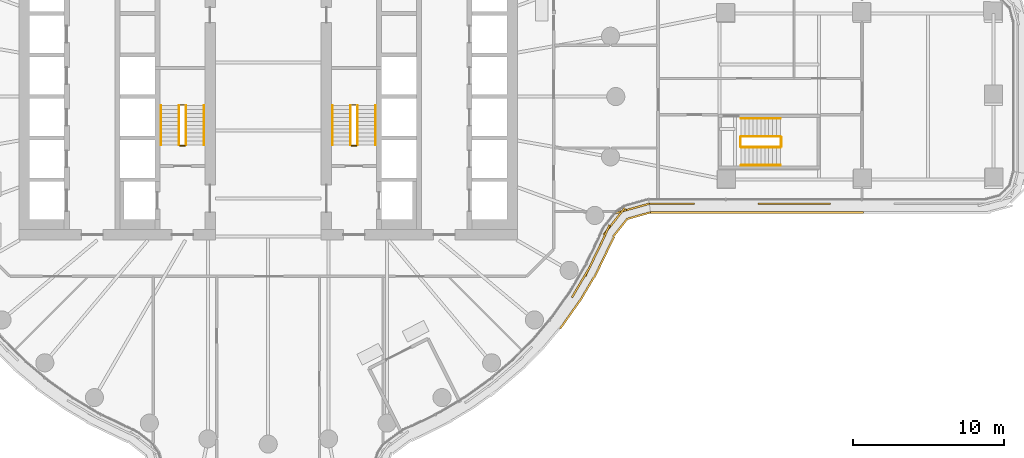
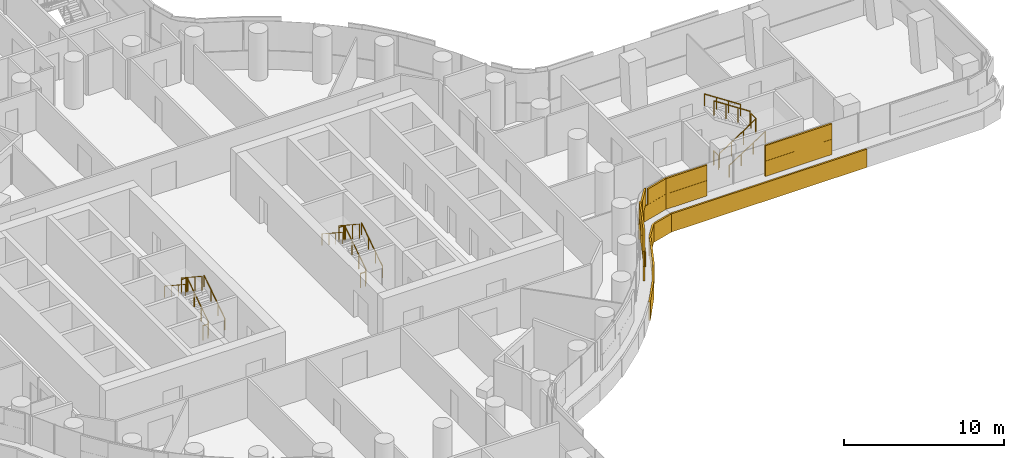
# One storey, part 28 of 32: 18 railings, 2 coverings.
"""IFC4 building model written with IfcOpenShell, lengths in metres."""

from ifc_helpers import new_model, si_unit, direction, frame, origin, origin_2d, place, context, subcontext, project, spatial, rectangle, circle, extrude, material, layer, layer_set, type_object, element, save


model = new_model("IFC4")

# Units and contexts
model_context = context("Model", 3, precision=1e-05, world=origin(), true_north=direction((0.0, 1.0)))
body_context = subcontext(model_context, "Body", "Model", "MODEL_VIEW")
ifc_project = project(units=[si_unit("LENGTHUNIT", "METRE"), si_unit("AREAUNIT", "SQUARE_METRE"), si_unit("VOLUMEUNIT", "CUBIC_METRE"), si_unit("PLANEANGLEUNIT", "RADIAN"), si_unit("MASSUNIT", "GRAM", prefix="KILO")], contexts=[model_context])

# Site, building, storey
site_placement = place(None, origin())
site = spatial("IfcSite", under=ifc_project, at=site_placement, CompositionType="ELEMENT")
building_placement = place(site_placement, origin())
building = spatial("IfcBuilding", under=site, at=building_placement, Name="Tamarind Cross Interchange Tower", CompositionType="ELEMENT")
storey_placement = place(building_placement, frame((0.0, 0.0, 34.0)))
storey = spatial("IfcBuildingStorey", under=building, at=storey_placement, Name="L06", CompositionType="ELEMENT", Elevation=34.0)

# Railings
ifc_material_1 = material(Name="Stair guard")
railing_type_1 = type_object("IfcRailingType", Name="Stair guard", PredefinedType="GUARDRAIL", material=ifc_material_1)
railing_1_placement = place(storey_placement, frame((-5.449951171875, -3.199951171875, 0.17041015625)))
element("IfcRailing", 1, at=railing_1_placement, inside=storey, type_object=railing_type_1, Name="L06 ST1 stair guard 1", PredefinedType="GUARDRAIL", context=body_context, shape_type="SweptSolid", body=[
    extrude(circle(Radius=0.02392578125, at=origin_2d()), frame((0.0, 0.0, 1.076171875), z_axis=(0.0, 0.836278606002, 0.548304744775), x_axis=(-1.0, 0.0, 0.0)), (0.0, 0.0, 1.0), 3.10888671875),
    extrude(circle(Radius=0.02099609375, at=origin_2d()), origin(), (0.0, 0.0, 1.0), 1.052001953125),
    extrude(circle(Radius=0.02099609375, at=origin_2d()), frame((0.0, 0.86669921875, 0.568115234375)), (0.0, 0.0, 1.0), 1.052001953125),
    extrude(circle(Radius=0.02099609375, at=origin_2d()), frame((0.0, 1.733154296875, 1.136474609375)), (0.0, 0.0, 1.0), 1.052001953125),
    extrude(circle(Radius=0.02099609375, at=origin_2d()), frame((0.0, 2.599853515625, 1.70458984375)), (0.0, 0.0, 1.0), 1.052001953125),
])
railing_2_placement = place(storey_placement, frame((-5.5, -0.550048828125, 1.875)))
element("IfcRailing", 2, at=railing_2_placement, inside=storey, type_object=railing_type_1, Name="L06 ST1 stair guard 2", PredefinedType="GUARDRAIL", context=body_context, shape_type="SweptSolid", body=[
    extrude(circle(Radius=0.02392578125, at=origin_2d()), frame((0.0, 0.0, 1.076171875), z_axis=(-1.0, 0.0, 0.0), x_axis=(0.0, -1.0, 0.0)), (0.0, 0.0, 1.0), 0.35009765625),
    extrude(circle(Radius=0.02099609375, at=origin_2d()), origin(), (0.0, 0.0, 1.0), 1.052001953125),
    extrude(circle(Radius=0.02099609375, at=origin_2d()), frame((-0.35009765625, 0.0, 0.0)), (0.0, 0.0, 1.0), 1.052001953125),
])
railing_3_placement = place(storey_placement, frame((-5.89990234375, -0.60009765625, 2.04541015625)))
element("IfcRailing", 3, at=railing_3_placement, inside=storey, type_object=railing_type_1, Name="L06 ST1 stair guard 3", PredefinedType="GUARDRAIL", context=body_context, shape_type="SweptSolid", body=[
    extrude(circle(Radius=0.02392578125, at=origin_2d()), frame((0.0, 0.0, 1.076171875), z_axis=(0.0, -0.836278606002, 0.548304744775), x_axis=(1.0, 0.0, 0.0)), (0.0, 0.0, 1.0), 3.10888671875),
    extrude(circle(Radius=0.02099609375, at=origin_2d()), origin(), (0.0, 0.0, 1.0), 1.052001953125),
    extrude(circle(Radius=0.02099609375, at=origin_2d()), frame((0.0, -0.86669921875, 0.568115234375)), (0.0, 0.0, 1.0), 1.052001953125),
    extrude(circle(Radius=0.02099609375, at=origin_2d()), frame((0.0, -1.733154296875, 1.136474609375)), (0.0, 0.0, 1.0), 1.052001953125),
    extrude(circle(Radius=0.02099609375, at=origin_2d()), frame((0.0, -2.599853515625, 1.70458984375)), (0.0, 0.0, 1.0), 1.052001953125),
])
railing_4_placement = place(storey_placement, frame((-5.5, -3.25, 0.0)))
element("IfcRailing", 4, at=railing_4_placement, inside=storey, type_object=railing_type_1, Name="L06 ST1 stair guard 4", PredefinedType="GUARDRAIL", context=body_context, shape_type="SweptSolid", body=[
    extrude(circle(Radius=0.02392578125, at=origin_2d()), frame((0.0, 0.0, 1.076171875), z_axis=(-1.0, 0.0, 0.0), x_axis=(0.0, -1.0, 0.0)), (0.0, 0.0, 1.0), 0.35009765625),
    extrude(circle(Radius=0.02099609375, at=origin_2d()), origin(), (0.0, 0.0, 1.0), 1.052001953125),
    extrude(circle(Radius=0.02099609375, at=origin_2d()), frame((-0.35009765625, 0.0, 0.0)), (0.0, 0.0, 1.0), 1.052001953125),
])
railing_5_placement = place(storey_placement, frame((5.89990234375, -3.199951171875, 0.17041015625)))
element("IfcRailing", 5, at=railing_5_placement, inside=storey, type_object=railing_type_1, Name="L06 ST2 stair guard 1", PredefinedType="GUARDRAIL", context=body_context, shape_type="SweptSolid", body=[
    extrude(circle(Radius=0.02392578125, at=origin_2d()), frame((0.0, 0.0, 1.076171875), z_axis=(0.0, 0.836278606002, 0.548304744775), x_axis=(-1.0, 0.0, 0.0)), (0.0, 0.0, 1.0), 3.10888671875),
    extrude(circle(Radius=0.02099609375, at=origin_2d()), origin(), (0.0, 0.0, 1.0), 1.052001953125),
    extrude(circle(Radius=0.02099609375, at=origin_2d()), frame((0.0, 0.86669921875, 0.568115234375)), (0.0, 0.0, 1.0), 1.052001953125),
    extrude(circle(Radius=0.02099609375, at=origin_2d()), frame((0.0, 1.733154296875, 1.136474609375)), (0.0, 0.0, 1.0), 1.052001953125),
    extrude(circle(Radius=0.02099609375, at=origin_2d()), frame((0.0, 2.599853515625, 1.70458984375)), (0.0, 0.0, 1.0), 1.052001953125),
])
railing_6_placement = place(storey_placement, frame((5.85009765625, -0.550048828125, 1.875)))
element("IfcRailing", 6, at=railing_6_placement, inside=storey, type_object=railing_type_1, Name="L06 ST2 stair guard 2", PredefinedType="GUARDRAIL", context=body_context, shape_type="SweptSolid", body=[
    extrude(circle(Radius=0.02392578125, at=origin_2d()), frame((0.0, 0.0, 1.076171875), z_axis=(-1.0, 0.0, 0.0), x_axis=(0.0, -1.0, 0.0)), (0.0, 0.0, 1.0), 0.35009765625),
    extrude(circle(Radius=0.02099609375, at=origin_2d()), origin(), (0.0, 0.0, 1.0), 1.052001953125),
    extrude(circle(Radius=0.02099609375, at=origin_2d()), frame((-0.35009765625, 0.0, 0.0)), (0.0, 0.0, 1.0), 1.052001953125),
])
railing_7_placement = place(storey_placement, frame((5.449951171875, -0.60009765625, 2.04541015625)))
element("IfcRailing", 7, at=railing_7_placement, inside=storey, type_object=railing_type_1, Name="L06 ST2 stair guard 3", PredefinedType="GUARDRAIL", context=body_context, shape_type="SweptSolid", body=[
    extrude(circle(Radius=0.02392578125, at=origin_2d()), frame((0.0, 0.0, 1.076171875), z_axis=(0.0, -0.836278606002, 0.548304744775), x_axis=(1.0, 0.0, 0.0)), (0.0, 0.0, 1.0), 3.10888671875),
    extrude(circle(Radius=0.02099609375, at=origin_2d()), origin(), (0.0, 0.0, 1.0), 1.052001953125),
    extrude(circle(Radius=0.02099609375, at=origin_2d()), frame((0.0, -0.86669921875, 0.568115234375)), (0.0, 0.0, 1.0), 1.052001953125),
    extrude(circle(Radius=0.02099609375, at=origin_2d()), frame((0.0, -1.733154296875, 1.136474609375)), (0.0, 0.0, 1.0), 1.052001953125),
    extrude(circle(Radius=0.02099609375, at=origin_2d()), frame((0.0, -2.599853515625, 1.70458984375)), (0.0, 0.0, 1.0), 1.052001953125),
])
railing_8_placement = place(storey_placement, frame((5.85009765625, -3.25, 0.0)))
element("IfcRailing", 8, at=railing_8_placement, inside=storey, type_object=railing_type_1, Name="L06 ST2 stair guard 4", PredefinedType="GUARDRAIL", context=body_context, shape_type="SweptSolid", body=[
    extrude(circle(Radius=0.02392578125, at=origin_2d()), frame((0.0, 0.0, 1.076171875), z_axis=(-1.0, 0.0, 0.0), x_axis=(0.0, -1.0, 0.0)), (0.0, 0.0, 1.0), 0.35009765625),
    extrude(circle(Radius=0.02099609375, at=origin_2d()), origin(), (0.0, 0.0, 1.0), 1.052001953125),
    extrude(circle(Radius=0.02099609375, at=origin_2d()), frame((-0.35009765625, 0.0, 0.0)), (0.0, 0.0, 1.0), 1.052001953125),
])
railing_9_placement = place(storey_placement, frame((31.300048828125, -3.35009765625, 0.17041015625)))
element("IfcRailing", 9, at=railing_9_placement, inside=storey, type_object=railing_type_1, Name="L06 ST3 stair guard 1", PredefinedType="GUARDRAIL", context=body_context, shape_type="SweptSolid", body=[
    extrude(circle(Radius=0.02392578125, at=origin_2d()), frame((0.0, 0.0, 1.076171875), z_axis=(0.836278606002, 0.0, 0.548304744775), x_axis=(0.0, 1.0, 0.0)), (0.0, 0.0, 1.0), 3.10888671875),
    extrude(circle(Radius=0.02099609375, at=origin_2d()), origin(), (0.0, 0.0, 1.0), 1.052001953125),
    extrude(circle(Radius=0.02099609375, at=origin_2d()), frame((0.86669921875, 0.0, 0.568115234375)), (0.0, 0.0, 1.0), 1.052001953125),
    extrude(circle(Radius=0.02099609375, at=origin_2d()), frame((1.733154296875, 0.0, 1.136474609375)), (0.0, 0.0, 1.0), 1.052001953125),
    extrude(circle(Radius=0.02099609375, at=origin_2d()), frame((2.599853515625, 0.0, 1.70458984375)), (0.0, 0.0, 1.0), 1.052001953125),
])
railing_10_placement = place(storey_placement, frame((33.949951171875, -3.300048828125, 1.875)))
element("IfcRailing", 10, at=railing_10_placement, inside=storey, type_object=railing_type_1, Name="L06 ST3 stair guard 2", PredefinedType="GUARDRAIL", context=body_context, shape_type="SweptSolid", body=[
    extrude(circle(Radius=0.02392578125, at=origin_2d()), frame((0.0, 0.0, 1.076171875), z_axis=(0.0, 1.0, 0.0), x_axis=(-1.0, 0.0, 0.0)), (0.0, 0.0, 1.0), 0.60009765625),
    extrude(circle(Radius=0.02099609375, at=origin_2d()), origin(), (0.0, 0.0, 1.0), 1.052001953125),
    extrude(circle(Radius=0.02099609375, at=origin_2d()), frame((0.0, 0.60009765625, 0.0)), (0.0, 0.0, 1.0), 1.052001953125),
])
railing_11_placement = place(storey_placement, frame((33.89990234375, -2.64990234375, 2.04541015625)))
element("IfcRailing", 11, at=railing_11_placement, inside=storey, type_object=railing_type_1, Name="L06 ST3 stair guard 3", PredefinedType="GUARDRAIL", context=body_context, shape_type="SweptSolid", body=[
    extrude(circle(Radius=0.02392578125, at=origin_2d()), frame((0.0, 0.0, 1.076171875), z_axis=(-0.836278606002, 0.0, 0.548304744775), x_axis=(0.0, -1.0, 0.0)), (0.0, 0.0, 1.0), 3.10888671875),
    extrude(circle(Radius=0.02099609375, at=origin_2d()), origin(), (0.0, 0.0, 1.0), 1.052001953125),
    extrude(circle(Radius=0.02099609375, at=origin_2d()), frame((-0.86669921875, 0.0, 0.568115234375)), (0.0, 0.0, 1.0), 1.052001953125),
    extrude(circle(Radius=0.02099609375, at=origin_2d()), frame((-1.733154296875, 0.0, 1.136474609375)), (0.0, 0.0, 1.0), 1.052001953125),
    extrude(circle(Radius=0.02099609375, at=origin_2d()), frame((-2.599853515625, 0.0, 1.70458984375)), (0.0, 0.0, 1.0), 1.052001953125),
])
railing_12_placement = place(storey_placement, frame((31.25, -3.300048828125, 0.0)))
element("IfcRailing", 12, at=railing_12_placement, inside=storey, type_object=railing_type_1, Name="L06 ST3 stair guard 4", PredefinedType="GUARDRAIL", context=body_context, shape_type="SweptSolid", body=[
    extrude(circle(Radius=0.02392578125, at=origin_2d()), frame((0.0, 0.0, 1.076171875), z_axis=(0.0, 1.0, 0.0), x_axis=(-1.0, 0.0, 0.0)), (0.0, 0.0, 1.0), 0.60009765625),
    extrude(circle(Radius=0.02099609375, at=origin_2d()), origin(), (0.0, 0.0, 1.0), 1.052001953125),
    extrude(circle(Radius=0.02099609375, at=origin_2d()), frame((0.0, 0.60009765625, 0.0)), (0.0, 0.0, 1.0), 1.052001953125),
])
ifc_material_2 = material(Name="Stair handrail")
railing_type_2 = type_object("IfcRailingType", Name="Stair handrail", PredefinedType="HANDRAIL", material=ifc_material_2)
railing_13_placement = place(storey_placement, frame((-4.25, -3.199951171875, 0.17041015625)))
element("IfcRailing", 13, at=railing_13_placement, inside=storey, type_object=railing_type_2, Name="L06 ST1 stair handrail 1", PredefinedType="HANDRAIL", context=body_context, shape_type="SweptSolid", body=[
    extrude(circle(Radius=0.02392578125, at=origin_2d()), frame((0.0, 0.0, 0.8759765625), z_axis=(0.0, 0.836278606002, 0.548304744775), x_axis=(-1.0, 0.0, 0.0)), (0.0, 0.0, 1.0), 3.10888671875),
    extrude(circle(Radius=0.02099609375, at=origin_2d()), origin(), (0.0, 0.0, 1.0), 0.851806640625),
    extrude(circle(Radius=0.02099609375, at=origin_2d()), frame((0.0, 0.86669921875, 0.568115234375)), (0.0, 0.0, 1.0), 0.851806640625),
    extrude(circle(Radius=0.02099609375, at=origin_2d()), frame((0.0, 1.733154296875, 1.136474609375)), (0.0, 0.0, 1.0), 0.851806640625),
    extrude(circle(Radius=0.02099609375, at=origin_2d()), frame((0.0, 2.599853515625, 1.70458984375)), (0.0, 0.0, 1.0), 0.851806640625),
])
railing_14_placement = place(storey_placement, frame((-7.10009765625, -0.60009765625, 2.04541015625)))
element("IfcRailing", 14, at=railing_14_placement, inside=storey, type_object=railing_type_2, Name="L06 ST1 stair handrail 2", PredefinedType="HANDRAIL", context=body_context, shape_type="SweptSolid", body=[
    extrude(circle(Radius=0.02392578125, at=origin_2d()), frame((0.0, 0.0, 0.8759765625), z_axis=(0.0, -0.836278606002, 0.548304744775), x_axis=(1.0, 0.0, 0.0)), (0.0, 0.0, 1.0), 3.10888671875),
    extrude(circle(Radius=0.02099609375, at=origin_2d()), origin(), (0.0, 0.0, 1.0), 0.851806640625),
    extrude(circle(Radius=0.02099609375, at=origin_2d()), frame((0.0, -0.86669921875, 0.568115234375)), (0.0, 0.0, 1.0), 0.851806640625),
    extrude(circle(Radius=0.02099609375, at=origin_2d()), frame((0.0, -1.733154296875, 1.136474609375)), (0.0, 0.0, 1.0), 0.851806640625),
    extrude(circle(Radius=0.02099609375, at=origin_2d()), frame((0.0, -2.599853515625, 1.70458984375)), (0.0, 0.0, 1.0), 0.851806640625),
])
railing_15_placement = place(storey_placement, frame((7.10009765625, -3.199951171875, 0.17041015625)))
element("IfcRailing", 15, at=railing_15_placement, inside=storey, type_object=railing_type_2, Name="L06 ST2 stair handrail 1", PredefinedType="HANDRAIL", context=body_context, shape_type="SweptSolid", body=[
    extrude(circle(Radius=0.02392578125, at=origin_2d()), frame((0.0, 0.0, 0.8759765625), z_axis=(0.0, 0.836278606002, 0.548304744775), x_axis=(-1.0, 0.0, 0.0)), (0.0, 0.0, 1.0), 3.10888671875),
    extrude(circle(Radius=0.02099609375, at=origin_2d()), origin(), (0.0, 0.0, 1.0), 0.851806640625),
    extrude(circle(Radius=0.02099609375, at=origin_2d()), frame((0.0, 0.86669921875, 0.568115234375)), (0.0, 0.0, 1.0), 0.851806640625),
    extrude(circle(Radius=0.02099609375, at=origin_2d()), frame((0.0, 1.733154296875, 1.136474609375)), (0.0, 0.0, 1.0), 0.851806640625),
    extrude(circle(Radius=0.02099609375, at=origin_2d()), frame((0.0, 2.599853515625, 1.70458984375)), (0.0, 0.0, 1.0), 0.851806640625),
])
railing_16_placement = place(storey_placement, frame((4.25, -0.60009765625, 2.04541015625)))
element("IfcRailing", 16, at=railing_16_placement, inside=storey, type_object=railing_type_2, Name="L06 ST2 stair handrail 2", PredefinedType="HANDRAIL", context=body_context, shape_type="SweptSolid", body=[
    extrude(circle(Radius=0.02392578125, at=origin_2d()), frame((0.0, 0.0, 0.8759765625), z_axis=(0.0, -0.836278606002, 0.548304744775), x_axis=(1.0, 0.0, 0.0)), (0.0, 0.0, 1.0), 3.10888671875),
    extrude(circle(Radius=0.02099609375, at=origin_2d()), origin(), (0.0, 0.0, 1.0), 0.851806640625),
    extrude(circle(Radius=0.02099609375, at=origin_2d()), frame((0.0, -0.86669921875, 0.568115234375)), (0.0, 0.0, 1.0), 0.851806640625),
    extrude(circle(Radius=0.02099609375, at=origin_2d()), frame((0.0, -1.733154296875, 1.136474609375)), (0.0, 0.0, 1.0), 0.851806640625),
    extrude(circle(Radius=0.02099609375, at=origin_2d()), frame((0.0, -2.599853515625, 1.70458984375)), (0.0, 0.0, 1.0), 0.851806640625),
])
railing_17_placement = place(storey_placement, frame((31.300048828125, -4.550048828125, 0.17041015625)))
element("IfcRailing", 17, at=railing_17_placement, inside=storey, type_object=railing_type_2, Name="L06 ST3 stair handrail 1", PredefinedType="HANDRAIL", context=body_context, shape_type="SweptSolid", body=[
    extrude(circle(Radius=0.02392578125, at=origin_2d()), frame((0.0, 0.0, 0.8759765625), z_axis=(0.836278606002, 0.0, 0.548304744775), x_axis=(0.0, 1.0, 0.0)), (0.0, 0.0, 1.0), 3.10888671875),
    extrude(circle(Radius=0.02099609375, at=origin_2d()), origin(), (0.0, 0.0, 1.0), 0.851806640625),
    extrude(circle(Radius=0.02099609375, at=origin_2d()), frame((0.86669921875, 0.0, 0.568115234375)), (0.0, 0.0, 1.0), 0.851806640625),
    extrude(circle(Radius=0.02099609375, at=origin_2d()), frame((1.733154296875, 0.0, 1.136474609375)), (0.0, 0.0, 1.0), 0.851806640625),
    extrude(circle(Radius=0.02099609375, at=origin_2d()), frame((2.599853515625, 0.0, 1.70458984375)), (0.0, 0.0, 1.0), 0.851806640625),
])
railing_18_placement = place(storey_placement, frame((33.89990234375, -1.449951171875, 2.04541015625)))
element("IfcRailing", 18, at=railing_18_placement, inside=storey, type_object=railing_type_2, Name="L06 ST3 stair handrail 2", PredefinedType="HANDRAIL", context=body_context, shape_type="SweptSolid", body=[
    extrude(circle(Radius=0.02392578125, at=origin_2d()), frame((0.0, 0.0, 0.8759765625), z_axis=(-0.836278606002, 0.0, 0.548304744775), x_axis=(0.0, -1.0, 0.0)), (0.0, 0.0, 1.0), 3.10888671875),
    extrude(circle(Radius=0.02099609375, at=origin_2d()), origin(), (0.0, 0.0, 1.0), 0.851806640625),
    extrude(circle(Radius=0.02099609375, at=origin_2d()), frame((-0.86669921875, 0.0, 0.568115234375)), (0.0, 0.0, 1.0), 0.851806640625),
    extrude(circle(Radius=0.02099609375, at=origin_2d()), frame((-1.733154296875, 0.0, 1.136474609375)), (0.0, 0.0, 1.0), 0.851806640625),
    extrude(circle(Radius=0.02099609375, at=origin_2d()), frame((-2.599853515625, 0.0, 1.70458984375)), (0.0, 0.0, 1.0), 0.851806640625),
])

# Coverings
ifc_material_3 = material(Name="Terracotta", Category="masonry")
ifc_layer = layer(ifc_material_3, 0.1201171875)
ifc_layer_set = layer_set([ifc_layer], Name="Terracotta")
covering_type = type_object("IfcCoveringType", Name="Terracotta baguette screen unit", PredefinedType="MOLDING", material=ifc_layer_set)
covering_1_placement = place(storey_placement, origin())
element("IfcCovering", 19, at=covering_1_placement, inside=storey, type_object=covering_type, Name="SCR-L06-07-01", PredefinedType="MOLDING", context=body_context, shape_type="SweptSolid", body=[
    extrude(rectangle(XDim=1.52001953125, YDim=0.1201171875, at=origin_2d()), frame((20.55517578125, -12.519775390625, 1.404052734375), z_axis=(0.0, 0.0, 1.0), x_axis=(0.508183308752, 0.861248933065, 0.0)), (0.0, 0.0, 1.0), 1.1669921875),
    extrude(rectangle(XDim=1.52001953125, YDim=0.1201171875, at=origin_2d()), frame((21.30517578125, -11.221435546875, 1.404052734375), z_axis=(0.0, 0.0, 1.0), x_axis=(0.435326231914, 0.900272776334, 0.0)), (0.0, 0.0, 1.0), 1.1669921875),
    extrude(rectangle(XDim=1.52001953125, YDim=0.1201171875, at=origin_2d()), frame((21.958251953125, -9.87109375, 1.404052734375), z_axis=(0.0, 0.0, 1.0), x_axis=(0.435326231914, 0.900272776334, 0.0)), (0.0, 0.0, 1.0), 1.1669921875),
    extrude(rectangle(XDim=1.52001953125, YDim=0.1201171875, at=origin_2d()), frame((22.660888671875, -8.5546875, 1.404052734375), z_axis=(0.0, 0.0, 1.0), x_axis=(0.622334895364, 0.782751095823, 0.0)), (0.0, 0.0, 1.0), 1.1669921875),
    extrude(rectangle(XDim=1.52001953125, YDim=0.1201171875, at=origin_2d()), frame((23.712890625, -7.510986328125, 1.404052734375), z_axis=(0.0, 0.0, 1.0), x_axis=(0.963176925923, 0.268868386706, 0.0)), (0.0, 0.0, 1.0), 1.1669921875),
    extrude(rectangle(XDim=0.825927734375, YDim=0.1201171875, at=origin_2d()), frame((24.828125, -7.19970703125, 1.404052734375), z_axis=(0.0, 0.0, 1.0), x_axis=(0.963176925923, 0.268868386706, 0.0)), (0.0, 0.0, 1.0), 1.1669921875),
    extrude(rectangle(XDim=0.906494140625, YDim=0.1201171875, at=origin_2d()), frame((20.327392578125, -12.906005859375, 2.5791015625), z_axis=(0.0, 0.0, 1.0), x_axis=(0.508183308752, 0.861248933065, 0.0)), (0.0, 0.0, 1.0), 1.1669921875),
    extrude(rectangle(XDim=1.52001953125, YDim=0.1201171875, at=origin_2d()), frame((20.936279296875, -11.8740234375, 2.5791015625), z_axis=(0.0, 0.0, 1.0), x_axis=(0.508183308752, 0.861248933065, 0.0)), (0.0, 0.0, 1.0), 1.1669921875),
    extrude(rectangle(XDim=1.52001953125, YDim=0.1201171875, at=origin_2d()), frame((21.631591796875, -10.546142578125, 2.5791015625), z_axis=(0.0, 0.0, 1.0), x_axis=(0.435326231914, 0.900272776334, 0.0)), (0.0, 0.0, 1.0), 1.1669921875),
    extrude(rectangle(XDim=1.52001953125, YDim=0.1201171875, at=origin_2d()), frame((22.275146484375, -9.19140625, 2.5791015625), z_axis=(0.0, 0.0, 1.0), x_axis=(0.412960788184, 0.910748805886, 0.0)), (0.0, 0.0, 1.0), 1.1669921875),
    extrude(rectangle(XDim=1.52001953125, YDim=0.1201171875, at=origin_2d()), frame((23.127685546875, -7.9677734375, 2.5791015625), z_axis=(0.0, 0.0, 1.0), x_axis=(0.622334895364, 0.782751095823, 0.0)), (0.0, 0.0, 1.0), 1.1669921875),
    extrude(rectangle(XDim=1.52001953125, YDim=0.1201171875, at=origin_2d()), frame((24.435302734375, -7.309326171875, 2.5791015625), z_axis=(0.0, 0.0, 1.0), x_axis=(0.963176925923, 0.268868386706, 0.0)), (0.0, 0.0, 1.0), 1.1669921875),
    extrude(rectangle(XDim=0.075927734375, YDim=0.1201171875, at=origin_2d()), frame((25.189453125, -7.098876953125, 2.5791015625), z_axis=(0.0, 0.0, 1.0), x_axis=(0.963176925923, 0.268868386706, 0.0)), (0.0, 0.0, 1.0), 1.1669921875),
    extrude(rectangle(XDim=1.059814453125, YDim=0.1201171875, at=origin_2d()), frame((19.626220703125, -14.920654296875, 0.00390625), z_axis=(0.0, 0.0, 1.0), x_axis=(0.577568978284, 0.816341886298, 0.0)), (0.0, 0.0, 1.0), 1.39208984375),
    extrude(rectangle(XDim=1.52001953125, YDim=0.1201171875, at=origin_2d()), frame((20.359619140625, -13.884033203125, 0.00390625), z_axis=(0.0, 0.0, 1.0), x_axis=(0.577568978284, 0.816341886298, 0.0)), (0.0, 0.0, 1.0), 1.39208984375),
    extrude(rectangle(XDim=1.52001953125, YDim=0.1201171875, at=origin_2d()), frame((21.1630859375, -12.618896484375, 0.00390625), z_axis=(0.0, 0.0, 1.0), x_axis=(0.508183308752, 0.861248933065, 0.0)), (0.0, 0.0, 1.0), 1.39208984375),
    extrude(rectangle(XDim=1.52001953125, YDim=0.1201171875, at=origin_2d()), frame((21.898681640625, -11.312744140625, 0.00390625), z_axis=(0.0, 0.0, 1.0), x_axis=(0.435326231914, 0.900272776334, 0.0)), (0.0, 0.0, 1.0), 1.39208984375),
    extrude(rectangle(XDim=1.52001953125, YDim=0.1201171875, at=origin_2d()), frame((22.551513671875, -9.962158203125, 0.00390625), z_axis=(0.0, 0.0, 1.0), x_axis=(0.435326231914, 0.900272776334, 0.0)), (0.0, 0.0, 1.0), 1.39208984375),
    extrude(rectangle(XDim=1.52001953125, YDim=0.1201171875, at=origin_2d()), frame((23.29931640625, -8.674072265625, 0.00390625), z_axis=(0.0, 0.0, 1.0), x_axis=(0.622334895364, 0.782751095823, 0.0)), (0.0, 0.0, 1.0), 1.39208984375),
    extrude(rectangle(XDim=1.52001953125, YDim=0.1201171875, at=origin_2d()), frame((24.50927734375, -7.884521484375, 0.00390625), z_axis=(0.0, 0.0, 1.0), x_axis=(0.963176925923, 0.268868386706, 0.0)), (0.0, 0.0, 1.0), 1.39208984375),
    extrude(rectangle(XDim=0.08056640625, YDim=0.1201171875, at=origin_2d()), frame((25.260986328125, -7.6748046875, 0.00390625), z_axis=(0.0, 0.0, 1.0), x_axis=(0.963176925923, 0.268868386706, 0.0)), (0.0, 0.0, 1.0), 1.39208984375),
])
covering_2_placement = place(storey_placement, origin())
element("IfcCovering", 20, at=covering_2_placement, inside=storey, type_object=covering_type, Name="SCR-L06-08-00", PredefinedType="MOLDING", context=body_context, shape_type="SweptSolid", body=[
    extrude(rectangle(XDim=1.510009765625, YDim=0.1201171875, at=origin_2d()), frame((25.97119140625, -7.090087890625, 1.404052734375), z_axis=(0.0, 0.0, 1.0), x_axis=(1.0, 0.0, 0.0)), (0.0, 0.0, 1.0), 1.1669921875),
    extrude(rectangle(XDim=1.5009765625, YDim=0.1201171875, at=origin_2d()), frame((27.466552734375, -7.090087890625, 1.404052734375), z_axis=(0.0, 0.0, 1.0), x_axis=(1.0, 0.0, 0.0)), (0.0, 0.0, 1.0), 1.1669921875),
    extrude(rectangle(XDim=0.31884765625, YDim=0.1201171875, at=origin_2d()), frame((32.566650390625, -7.090087890625, 1.404052734375), z_axis=(0.0, 0.0, 1.0), x_axis=(1.0, 0.0, 0.0)), (0.0, 0.0, 1.0), 1.1669921875),
    extrude(rectangle(XDim=1.52001953125, YDim=0.1201171875, at=origin_2d()), frame((33.47119140625, -7.090087890625, 1.404052734375), z_axis=(0.0, 0.0, 1.0), x_axis=(1.0, 0.0, 0.0)), (0.0, 0.0, 1.0), 1.1669921875),
    extrude(rectangle(XDim=1.52001953125, YDim=0.1201171875, at=origin_2d()), frame((34.97119140625, -7.090087890625, 1.404052734375), z_axis=(0.0, 0.0, 1.0), x_axis=(1.0, 0.0, 0.0)), (0.0, 0.0, 1.0), 1.1669921875),
    extrude(rectangle(XDim=1.5009765625, YDim=0.1201171875, at=origin_2d()), frame((36.466552734375, -7.090087890625, 1.404052734375), z_axis=(0.0, 0.0, 1.0), x_axis=(1.0, 0.0, 0.0)), (0.0, 0.0, 1.0), 1.1669921875),
    extrude(rectangle(XDim=0.760009765625, YDim=0.1201171875, at=origin_2d()), frame((25.59619140625, -7.090087890625, 2.5791015625), z_axis=(0.0, 0.0, 1.0), x_axis=(1.0, 0.0, 0.0)), (0.0, 0.0, 1.0), 1.1669921875),
    extrude(rectangle(XDim=1.52001953125, YDim=0.1201171875, at=origin_2d()), frame((26.72119140625, -7.090087890625, 2.5791015625), z_axis=(0.0, 0.0, 1.0), x_axis=(1.0, 0.0, 0.0)), (0.0, 0.0, 1.0), 1.1669921875),
    extrude(rectangle(XDim=0.7509765625, YDim=0.1201171875, at=origin_2d()), frame((27.841552734375, -7.090087890625, 2.5791015625), z_axis=(0.0, 0.0, 1.0), x_axis=(1.0, 0.0, 0.0)), (0.0, 0.0, 1.0), 1.1669921875),
    extrude(rectangle(XDim=1.06884765625, YDim=0.1201171875, at=origin_2d()), frame((32.941650390625, -7.090087890625, 2.5791015625), z_axis=(0.0, 0.0, 1.0), x_axis=(1.0, 0.0, 0.0)), (0.0, 0.0, 1.0), 1.1669921875),
    extrude(rectangle(XDim=1.52001953125, YDim=0.1201171875, at=origin_2d()), frame((34.22119140625, -7.090087890625, 2.5791015625), z_axis=(0.0, 0.0, 1.0), x_axis=(1.0, 0.0, 0.0)), (0.0, 0.0, 1.0), 1.1669921875),
    extrude(rectangle(XDim=1.52001953125, YDim=0.1201171875, at=origin_2d()), frame((35.72119140625, -7.090087890625, 2.5791015625), z_axis=(0.0, 0.0, 1.0), x_axis=(1.0, 0.0, 0.0)), (0.0, 0.0, 1.0), 1.1669921875),
    extrude(rectangle(XDim=0.7509765625, YDim=0.1201171875, at=origin_2d()), frame((36.841552734375, -7.090087890625, 2.5791015625), z_axis=(0.0, 0.0, 1.0), x_axis=(1.0, 0.0, 0.0)), (0.0, 0.0, 1.0), 1.1669921875),
    extrude(rectangle(XDim=1.510009765625, YDim=0.1201171875, at=origin_2d()), frame((26.0546875, -7.6640625, 0.00390625), z_axis=(0.0, 0.0, 1.0), x_axis=(1.0, 0.0, 0.0)), (0.0, 0.0, 1.0), 1.39208984375),
    extrude(rectangle(XDim=1.52001953125, YDim=0.1201171875, at=origin_2d()), frame((27.5498046875, -7.6640625, 0.00390625), z_axis=(0.0, 0.0, 1.0), x_axis=(1.0, 0.0, 0.0)), (0.0, 0.0, 1.0), 1.39208984375),
    extrude(rectangle(XDim=1.52001953125, YDim=0.1201171875, at=origin_2d()), frame((29.0498046875, -7.6640625, 0.00390625), z_axis=(0.0, 0.0, 1.0), x_axis=(1.0, 0.0, 0.0)), (0.0, 0.0, 1.0), 1.39208984375),
    extrude(rectangle(XDim=1.52001953125, YDim=0.1201171875, at=origin_2d()), frame((30.5498046875, -7.6640625, 0.00390625), z_axis=(0.0, 0.0, 1.0), x_axis=(1.0, 0.0, 0.0)), (0.0, 0.0, 1.0), 1.39208984375),
    extrude(rectangle(XDim=1.52001953125, YDim=0.1201171875, at=origin_2d()), frame((32.0498046875, -7.6640625, 0.00390625), z_axis=(0.0, 0.0, 1.0), x_axis=(1.0, 0.0, 0.0)), (0.0, 0.0, 1.0), 1.39208984375),
    extrude(rectangle(XDim=1.52001953125, YDim=0.1201171875, at=origin_2d()), frame((33.5498046875, -7.6640625, 0.00390625), z_axis=(0.0, 0.0, 1.0), x_axis=(1.0, 0.0, 0.0)), (0.0, 0.0, 1.0), 1.39208984375),
    extrude(rectangle(XDim=1.52001953125, YDim=0.1201171875, at=origin_2d()), frame((35.0498046875, -7.6640625, 0.00390625), z_axis=(0.0, 0.0, 1.0), x_axis=(1.0, 0.0, 0.0)), (0.0, 0.0, 1.0), 1.39208984375),
    extrude(rectangle(XDim=1.52001953125, YDim=0.1201171875, at=origin_2d()), frame((36.5498046875, -7.6640625, 0.00390625), z_axis=(0.0, 0.0, 1.0), x_axis=(1.0, 0.0, 0.0)), (0.0, 0.0, 1.0), 1.39208984375),
    extrude(rectangle(XDim=1.52001953125, YDim=0.1201171875, at=origin_2d()), frame((38.0498046875, -7.6640625, 0.00390625), z_axis=(0.0, 0.0, 1.0), x_axis=(1.0, 0.0, 0.0)), (0.0, 0.0, 1.0), 1.39208984375),
    extrude(rectangle(XDim=0.598876953125, YDim=0.1201171875, at=origin_2d()), frame((39.089111328125, -7.6640625, 0.00390625), z_axis=(0.0, 0.0, 1.0), x_axis=(1.0, 0.0, 0.0)), (0.0, 0.0, 1.0), 1.39208984375),
])

save(model, "model.ifc")
